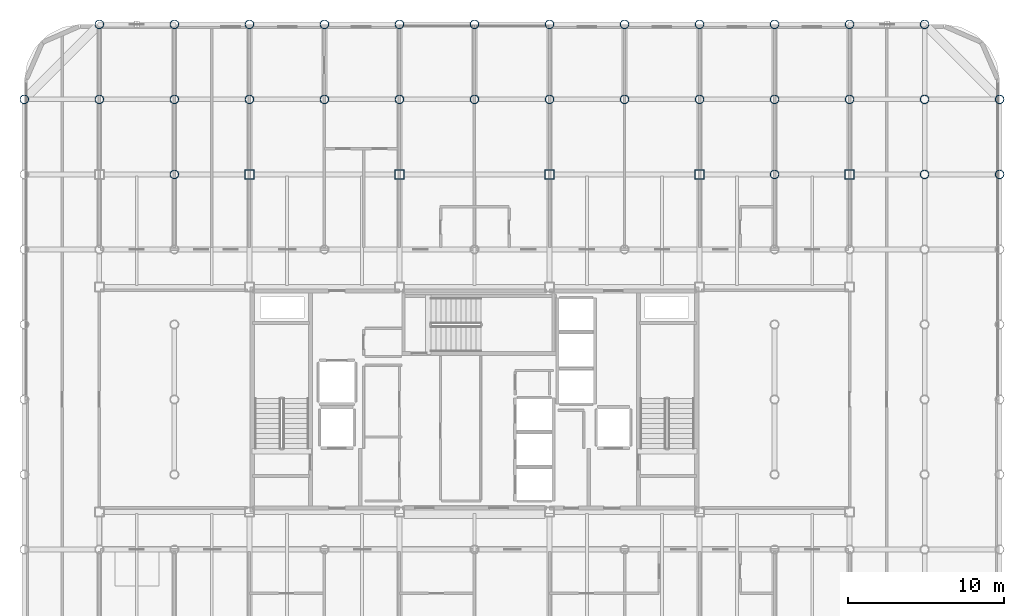
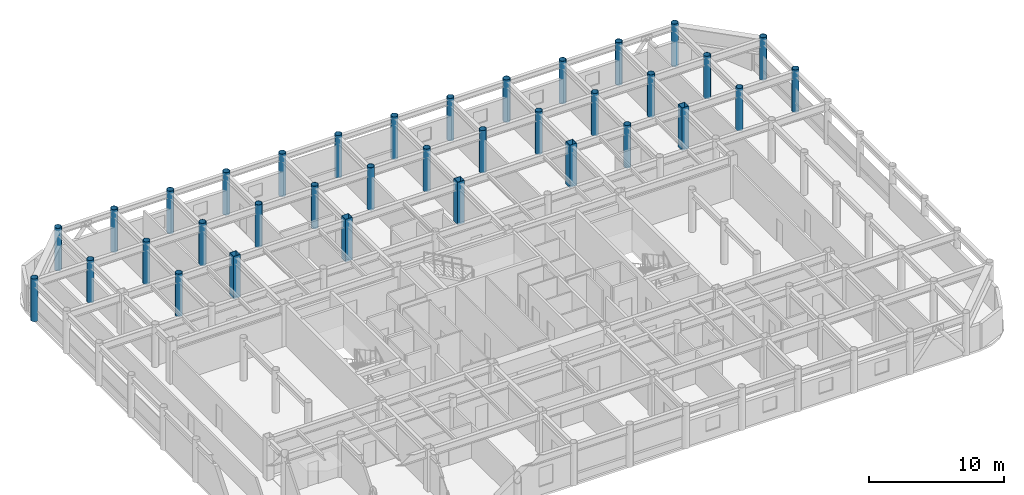
# One storey, part 2 of 24: 35 columns.
"""IFC4 building model written with IfcOpenShell, lengths in metres."""

from ifc_helpers import new_model, si_unit, direction, frame, origin, origin_2d, place, context, subcontext, project, spatial, hollow_rectangle, hollow_circle, extrude, material, material_profile, profile_set, type_object, element, save


model = new_model("IFC4")

# Units and contexts
model_context = context("Model", 3, precision=1e-05, world=origin(), true_north=direction((0.0, 1.0)))
body_context = subcontext(model_context, "Body", "Model", "MODEL_VIEW")
ifc_project = project(units=[si_unit("LENGTHUNIT", "METRE"), si_unit("AREAUNIT", "SQUARE_METRE"), si_unit("VOLUMEUNIT", "CUBIC_METRE"), si_unit("PLANEANGLEUNIT", "RADIAN"), si_unit("MASSUNIT", "GRAM", prefix="KILO")], contexts=[model_context])

# Site, building, storey
site_placement = place(None, origin())
site = spatial("IfcSite", under=ifc_project, at=site_placement, CompositionType="ELEMENT")
building_placement = place(site_placement, origin())
building = spatial("IfcBuilding", under=site, at=building_placement, Name="Kallvorn Hotel Tower", CompositionType="ELEMENT")
storey_placement = place(building_placement, frame((0.0, 0.0, 233.85009765625)))
storey = spatial("IfcBuildingStorey", under=building, at=storey_placement, Name="L58", CompositionType="ELEMENT", Elevation=233.85009765625)

# Columns
ifc_material_1 = material(Name="Structural steel S355J2H", Category="steel")
ifc_material_profile_1 = material_profile(ifc_material_1, hollow_circle(Radius=0.279541015625, WallThickness=0.02490234375, at=origin_2d()), Name="CHS 559x25")
ifc_profile_set_1 = profile_set([ifc_material_profile_1], Name="Structural steel S355J2H")
column_type_1 = type_object("IfcColumnType", Name="COL_CHS_559", PredefinedType="COLUMN", material=ifc_profile_set_1)
for number, where, z_axis, x_axis, name in (
    (1, (-28.800048828125, 19.199951171875, 0.0), (0.0, 0.0, 1.0), (1.0, 0.0, 0.0), "L58 Exoskeleton Column EC09"),
    (2, (-24.0, 19.199951171875, 0.0), (0.0, 0.0, 1.0), (1.0, 0.0, 0.0), "L58 Exoskeleton Column EC13"),
    (3, (-24.0, 24.0, 0.0), (0.0, 0.0, 1.0), (1.0, 0.0, 0.0), "L58 Exoskeleton Column EC14"),
    (4, (-19.199951171875, 14.39990234375, 0.0), (0.0, 0.0, 1.0), (1.0, 0.0, 0.0), "L58 Exoskeleton Column EC22"),
    (5, (-19.199951171875, 19.199951171875, 0.0), (0.0, 0.0, 1.0), (1.0, 0.0, 0.0), "L58 Exoskeleton Column EC23"),
    (6, (-19.199951171875, 24.0, 0.0), (0.0, 0.0, 1.0), (1.0, 0.0, 0.0), "L58 Exoskeleton Column EC24"),
    (7, (-14.39990234375, 19.199951171875, 0.0), (0.0, 0.0, 1.0), (1.0, 0.0, 0.0), "L58 Exoskeleton Column EC26"),
    (8, (-14.39990234375, 24.0, 0.0), (0.0, 0.0, 1.0), (1.0, 0.0, 0.0), "L58 Exoskeleton Column EC27"),
    (9, (-9.60009765625, 19.199951171875, 0.0), (0.0, 0.0, 1.0), (1.0, 0.0, 0.0), "L58 Exoskeleton Column EC31"),
    (10, (-9.60009765625, 24.0, 0.0), (0.0, 0.0, 1.0), (1.0, 0.0, 0.0), "L58 Exoskeleton Column EC32"),
    (11, (-4.800048828125, 19.199951171875, 0.0), (0.0, 0.0, 1.0), (1.0, 0.0, 0.0), "L58 Exoskeleton Column EC34"),
    (12, (-4.800048828125, 24.0, 0.0), (0.0, 0.0, 1.0), (1.0, 0.0, 0.0), "L58 Exoskeleton Column EC35"),
    (13, (0.0, 19.199951171875, 0.0), (0.0, 0.0, 1.0), (1.0, 0.0, 0.0), "L58 Exoskeleton Column EC39"),
    (14, (0.0, 24.0, 0.0), (0.0, 0.0, 1.0), (1.0, 0.0, 0.0), "L58 Exoskeleton Column EC40"),
    (15, (4.800048828125, 19.199951171875, 0.0), (0.0, 0.0, 1.0), (1.0, 0.0, 0.0), "L58 Exoskeleton Column EC42"),
    (16, (4.800048828125, 24.0, 0.0), (0.0, 0.0, 1.0), (1.0, 0.0, 0.0), "L58 Exoskeleton Column EC43"),
    (17, (9.60009765625, 19.199951171875, 0.0), (0.0, 0.0, 1.0), (1.0, 0.0, 0.0), "L58 Exoskeleton Column EC47"),
    (18, (9.60009765625, 24.0, 0.0), (0.0, 0.0, 1.0), (1.0, 0.0, 0.0), "L58 Exoskeleton Column EC48"),
    (19, (14.39990234375, 19.199951171875, 0.0), (0.0, 0.0, 1.0), (1.0, 0.0, 0.0), "L58 Exoskeleton Column EC50"),
    (20, (14.39990234375, 24.0, 0.0), (0.0, 0.0, 1.0), (1.0, 0.0, 0.0), "L58 Exoskeleton Column EC51"),
    (21, (19.199951171875, 14.39990234375, 0.0), (0.0, 0.0, 1.0), (1.0, 0.0, 0.0), "L58 Exoskeleton Column EC59"),
    (22, (19.199951171875, 19.199951171875, 0.0), (0.0, 0.0, 1.0), (1.0, 0.0, 0.0), "L58 Exoskeleton Column EC60"),
    (23, (19.199951171875, 24.0, 0.0), (0.0, 0.0, 1.0), (1.0, 0.0, 0.0), "L58 Exoskeleton Column EC61"),
    (24, (24.0, 19.199951171875, 0.0), (0.0, 0.0, 1.0), (1.0, 0.0, 0.0), "L58 Exoskeleton Column EC65"),
    (25, (24.0, 24.0, 0.0), (0.0, 0.0, 1.0), (1.0, 0.0, 0.0), "L58 Exoskeleton Column EC66"),
    (26, (28.800048828125, 14.39990234375, 0.0), (0.0, 0.0, 1.0), (1.0, 0.0, 0.0), "L58 Exoskeleton Column EC74"),
    (27, (28.800048828125, 19.199951171875, 0.0), (0.0, 0.0, 1.0), (1.0, 0.0, 0.0), "L58 Exoskeleton Column EC75"),
    (28, (28.800048828125, 24.0, 0.0), (0.0, 0.0, 1.0), (1.0, 0.0, 0.0), "L58 Exoskeleton Column EC76"),
    (29, (33.60009765625, 14.39990234375, 0.0), (0.0, 0.0, 1.0), (1.0, 0.0, 0.0), "L58 Exoskeleton Column EC83"),
    (30, (33.60009765625, 19.199951171875, 0.0), (0.0, 0.0, 1.0), (1.0, 0.0, 0.0), "L58 Exoskeleton Column EC84"),
):
    element("IfcColumn", number, at=place(storey_placement, frame(where, z_axis=z_axis, x_axis=x_axis)), inside=storey, type_object=column_type_1, Name=name, PredefinedType="COLUMN", context=body_context, shape_type="SweptSolid", body=[
        extrude(hollow_circle(Radius=0.279541015625, WallThickness=0.02490234375, at=origin_2d()), origin(), (0.0, 0.0, 1.0), 3.849853515625),
    ])
ifc_material_2 = material(Name="Structural steel S355J2H", Category="steel")
ifc_material_profile_2 = material_profile(ifc_material_2, hollow_rectangle(XDim=0.60009765625, YDim=0.60009765625, WallThickness=0.028076171875, at=origin_2d()), Name="RHS 600x600x28")
ifc_profile_set_2 = profile_set([ifc_material_profile_2], Name="Structural steel S355J2H")
column_type_2 = type_object("IfcColumnType", Name="COL_RHS_600", PredefinedType="COLUMN", material=ifc_profile_set_2)
for number, where, z_axis, x_axis, name in (
    (31, (-14.39990234375, 14.39990234375, 0.0), (0.0, 0.0, 1.0), (1.0, 0.0, 0.0), "L58 Inner Column IC08"),
    (32, (-4.800048828125, 14.39990234375, 0.0), (0.0, 0.0, 1.0), (1.0, 0.0, 0.0), "L58 Inner Column IC12"),
    (33, (4.800048828125, 14.39990234375, 0.0), (0.0, 0.0, 1.0), (1.0, 0.0, 0.0), "L58 Inner Column IC16"),
    (34, (14.39990234375, 14.39990234375, 0.0), (0.0, 0.0, 1.0), (1.0, 0.0, 0.0), "L58 Inner Column IC20"),
    (35, (24.0, 14.39990234375, 0.0), (0.0, 0.0, 1.0), (1.0, 0.0, 0.0), "L58 Inner Column IC24"),
):
    element("IfcColumn", number, at=place(storey_placement, frame(where, z_axis=z_axis, x_axis=x_axis)), inside=storey, type_object=column_type_2, Name=name, PredefinedType="COLUMN", context=body_context, shape_type="SweptSolid", body=[
        extrude(hollow_rectangle(XDim=0.60009765625, YDim=0.60009765625, WallThickness=0.028076171875, at=origin_2d()), origin(), (0.0, 0.0, 1.0), 3.849853515625),
    ])

save(model, "model.ifc")
